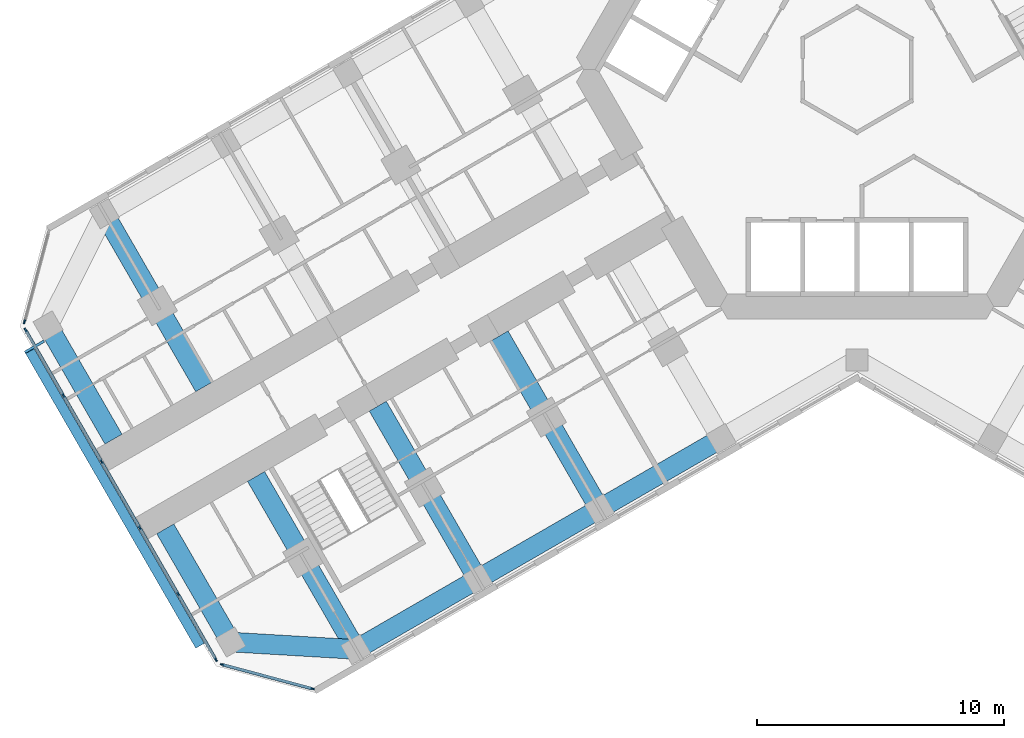
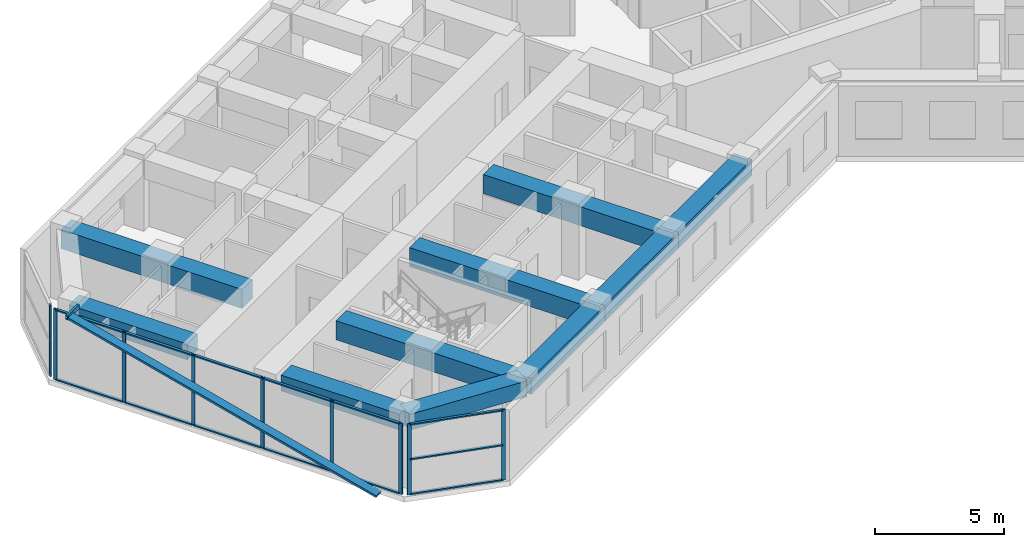
# One storey, part 2 of 21: 24 members, 10 beams, 3 elements without a shape of their own.
"""IFC4 building model written with IfcOpenShell, lengths in metres."""

from ifc_helpers import new_model, si_unit, direction, frame, origin, origin_2d, place, context, subcontext, project, spatial, rectangle, hollow_rectangle, extrude, material, material_profile, profile_set, type_object, element, aggregate, save


model = new_model("IFC4")

# Units and contexts
model_context = context("Model", 3, precision=1e-05, world=origin(), true_north=direction((0.0, 1.0)))
body_context = subcontext(model_context, "Body", "Model", "MODEL_VIEW")
ifc_project = project(units=[si_unit("LENGTHUNIT", "METRE"), si_unit("AREAUNIT", "SQUARE_METRE"), si_unit("VOLUMEUNIT", "CUBIC_METRE"), si_unit("PLANEANGLEUNIT", "RADIAN"), si_unit("MASSUNIT", "GRAM", prefix="KILO")], contexts=[model_context])

# Site, building, storey
site_placement = place(None, origin())
site = spatial("IfcSite", under=ifc_project, at=site_placement, CompositionType="ELEMENT")
building_placement = place(site_placement, origin())
building = spatial("IfcBuilding", under=site, at=building_placement, Name="Kosmar Iwan School Tower", CompositionType="ELEMENT")
storey_placement = place(building_placement, frame((0.0, 0.0, 88.0)))
storey = spatial("IfcBuildingStorey", under=building, at=storey_placement, Name="L21", CompositionType="ELEMENT", Elevation=88.0)

# Members
ifc_material_1 = material(Name="Black anodised aluminium", Category="aluminium")
ifc_material_profile_1 = material_profile(ifc_material_1, rectangle(XDim=0.10009765625, YDim=0.39990234375, at=origin_2d()), Name="FIN 100x400")
ifc_profile_set_1 = profile_set([ifc_material_profile_1], Name="Black anodised aluminium")
member_type_1 = type_object("IfcMemberType", Name="Diagonal fin 100x400", PredefinedType="USERDEFINED", material=ifc_profile_set_1)
member_1_placement = place(storey_placement, frame((-26.645263671875, -23.34912109375, -0.14990234375), z_axis=(-0.483795538458, 0.837973939202, 0.252470897702), x_axis=(0.126233699175, -0.218647221293, 0.967604488318)))
element("IfcMember", 1, at=member_1_placement, inside=storey, type_object=member_type_1, Name="Diagonal fin L21-F13", ObjectType="FIN", PredefinedType="USERDEFINED", context=body_context, shape_type="SweptSolid", body=[
    extrude(rectangle(XDim=0.10009765625, YDim=0.39990234375, at=origin_2d()), origin(), (0.0, 0.0, 1.0), 14.258544921875),
])
ifc_material_2 = material(Name="Steel S355", Category="steel")
ifc_material_profile_2 = material_profile(ifc_material_2, hollow_rectangle(XDim=0.10009765625, YDim=0.199951171875, WallThickness=0.008056640625, at=origin_2d()), Name="RHS 200x100x8")
ifc_profile_set_2 = profile_set([ifc_material_profile_2], Name="Steel S355")
member_type_2 = type_object("IfcMemberType", Name="Fin bracket RHS 200x100", PredefinedType="USERDEFINED", material=ifc_profile_set_2)
member_2_placement = place(storey_placement, frame((-32.963134765625, -11.006103515625, 3.47509765625), z_axis=(-0.866081705922, -0.499902469156, 0.0), x_axis=(0.499902469156, -0.866081705922, 0.0)))
element("IfcMember", 2, at=member_2_placement, inside=storey, type_object=member_type_2, Name="Fin bracket L22", ObjectType="FIN BRACKET", PredefinedType="USERDEFINED", context=body_context, shape_type="SweptSolid", body=[
    extrude(hollow_rectangle(XDim=0.10009765625, YDim=0.199951171875, WallThickness=0.008056640625, at=origin_2d()), origin(), (0.0, 0.0, 1.0), 0.900146484375),
])

# Curtain wall, member
ifc_material_3 = material(Name="Dark glass in black aluminium frame", Category="aluminium")
curtain_wall_type_1 = type_object("IfcCurtainWallType", Name="Chamfer curtain wall dark glass", PredefinedType="USERDEFINED", material=ifc_material_3)
curtain_wall_1_placement = place(storey_placement, origin())
curtain_wall_1 = element("IfcCurtainWall", 3, at=curtain_wall_1_placement, inside=storey, type_object=curtain_wall_type_1, Name="Curtain wall L21-F12", ObjectType="FACETED CURTAIN WALL", PredefinedType="USERDEFINED")
ifc_material_4 = material(Name="Black anodised aluminium", Category="aluminium")
ifc_material_profile_3 = material_profile(ifc_material_4, rectangle(XDim=0.06005859375, YDim=0.159912109375, at=origin_2d()), Name="MULLION 60x160")
ifc_profile_set_3 = profile_set([ifc_material_profile_3], Name="Black anodised aluminium")
member_type_3 = type_object("IfcMemberType", Name="Mullion 60x160", PredefinedType="MULLION", material=ifc_profile_set_3)
member_3_placement = place(storey_placement, frame((-33.7587890625, -10.2236328125, 0.0), z_axis=(0.0, 0.0, 1.0), x_axis=(0.965925875495, -0.258818861462, 0.0)))
member_3 = element("IfcMember", 4, at=member_3_placement, type_object=member_type_3, Name="CW2 mullion 2", PredefinedType="MULLION", context=body_context, shape_type="SweptSolid", body=[
    extrude(rectangle(XDim=0.06005859375, YDim=0.159912109375, at=origin_2d()), origin(), (0.0, 0.0, 1.0), 3.35009765625),
])
aggregate(curtain_wall_1, [member_3])

# Curtain wall, members
ifc_material_5 = material(Name="Dark glass in black aluminium frame", Category="aluminium")
curtain_wall_type_2 = type_object("IfcCurtainWallType", Name="Tower curtain wall dark glass", PredefinedType="USERDEFINED", material=ifc_material_5)
curtain_wall_2_placement = place(storey_placement, origin())
curtain_wall_2 = element("IfcCurtainWall", 5, at=curtain_wall_2_placement, inside=storey, type_object=curtain_wall_type_2, Name="Curtain wall L21-F13", ObjectType="UNITISED CURTAIN WALL", PredefinedType="USERDEFINED")
member_4_placement = place(storey_placement, frame((-33.71533203125, -10.55322265625, 0.0), z_axis=(0.0, 0.0, 1.0), x_axis=(0.866025405329, 0.499999997325, 0.0)))
member_4 = element("IfcMember", 6, at=member_4_placement, type_object=member_type_3, Name="CW1 mullion 1", PredefinedType="MULLION", context=body_context, shape_type="SweptSolid", body=[
    extrude(rectangle(XDim=0.06005859375, YDim=0.159912109375, at=origin_2d()), origin(), (0.0, 0.0, 1.0), 3.35009765625),
])
member_5_placement = place(storey_placement, frame((-32.1806640625, -13.21142578125, 0.0), z_axis=(0.0, 0.0, 1.0), x_axis=(0.866025405329, 0.499999997325, 0.0)))
member_5 = element("IfcMember", 7, at=member_5_placement, type_object=member_type_3, Name="CW1 mullion 2", PredefinedType="MULLION", context=body_context, shape_type="SweptSolid", body=[
    extrude(rectangle(XDim=0.06005859375, YDim=0.159912109375, at=origin_2d()), origin(), (0.0, 0.0, 1.0), 3.35009765625),
])
member_6_placement = place(storey_placement, frame((-30.631103515625, -15.8955078125, 0.0), z_axis=(0.0, 0.0, 1.0), x_axis=(0.866025405329, 0.499999997325, 0.0)))
member_6 = element("IfcMember", 8, at=member_6_placement, type_object=member_type_3, Name="CW1 mullion 3", PredefinedType="MULLION", context=body_context, shape_type="SweptSolid", body=[
    extrude(rectangle(XDim=0.06005859375, YDim=0.159912109375, at=origin_2d()), origin(), (0.0, 0.0, 1.0), 3.35009765625),
])
member_7_placement = place(storey_placement, frame((-29.081298828125, -18.57958984375, 0.0), z_axis=(0.0, 0.0, 1.0), x_axis=(0.866025405329, 0.499999997325, 0.0)))
member_7 = element("IfcMember", 9, at=member_7_placement, type_object=member_type_3, Name="CW1 mullion 4", PredefinedType="MULLION", context=body_context, shape_type="SweptSolid", body=[
    extrude(rectangle(XDim=0.06005859375, YDim=0.159912109375, at=origin_2d()), origin(), (0.0, 0.0, 1.0), 3.35009765625),
])
member_8_placement = place(storey_placement, frame((-27.53173828125, -21.263671875, 0.0), z_axis=(0.0, 0.0, 1.0), x_axis=(0.866025405329, 0.499999997325, 0.0)))
member_8 = element("IfcMember", 10, at=member_8_placement, type_object=member_type_3, Name="CW1 mullion 5", PredefinedType="MULLION", context=body_context, shape_type="SweptSolid", body=[
    extrude(rectangle(XDim=0.06005859375, YDim=0.159912109375, at=origin_2d()), origin(), (0.0, 0.0, 1.0), 3.35009765625),
])
member_9_placement = place(storey_placement, frame((-25.9970703125, -23.921630859375, 0.0), z_axis=(0.0, 0.0, 1.0), x_axis=(0.866025405329, 0.499999997325, 0.0)))
member_9 = element("IfcMember", 11, at=member_9_placement, type_object=member_type_3, Name="CW1 mullion 6", PredefinedType="MULLION", context=body_context, shape_type="SweptSolid", body=[
    extrude(rectangle(XDim=0.06005859375, YDim=0.159912109375, at=origin_2d()), origin(), (0.0, 0.0, 1.0), 3.35009765625),
])

curtain_wall_3_placement = place(storey_placement, origin())
curtain_wall_3 = element("IfcCurtainWall", 12, at=curtain_wall_3_placement, inside=storey, type_object=curtain_wall_type_1, Name="Curtain wall L21-F14", ObjectType="FACETED CURTAIN WALL", PredefinedType="USERDEFINED")
member_10_placement = place(storey_placement, frame((-25.733154296875, -24.124267578125, 0.0), z_axis=(0.0, 0.0, 1.0), x_axis=(0.258818861462, 0.965925875495, 0.0)))
member_10 = element("IfcMember", 13, at=member_10_placement, type_object=member_type_3, Name="CW2 mullion 1", PredefinedType="MULLION", context=body_context, shape_type="SweptSolid", body=[
    extrude(rectangle(XDim=0.06005859375, YDim=0.159912109375, at=origin_2d()), origin(), (0.0, 0.0, 1.0), 3.35009765625),
])
member_11_placement = place(storey_placement, frame((-22.0830078125, -25.102294921875, 0.0), z_axis=(0.0, 0.0, 1.0), x_axis=(0.258818861462, 0.965925875495, 0.0)))
member_11 = element("IfcMember", 14, at=member_11_placement, type_object=member_type_3, Name="CW2 mullion 2", PredefinedType="MULLION", context=body_context, shape_type="SweptSolid", body=[
    extrude(rectangle(XDim=0.06005859375, YDim=0.159912109375, at=origin_2d()), origin(), (0.0, 0.0, 1.0), 3.35009765625),
])

# Beams
ifc_material_6 = material(Name="Concrete C50/60", Category="concrete")
ifc_material_profile_4 = material_profile(ifc_material_6, rectangle(XDim=0.800048828125, YDim=0.75, at=origin_2d()), Name="RC 800x750")
ifc_profile_set_4 = profile_set([ifc_material_profile_4], Name="Concrete C50/60")
beam_type_1 = type_object("IfcBeamType", Name="RC edge beam 800x750", PredefinedType="BEAM", material=ifc_profile_set_4)
beam_1_placement = place(storey_placement, frame((-5.5087890625, -14.95849609375, 2.97509765625), z_axis=(-0.866033658841, -0.49998570155, 0.0), x_axis=(0.49998570155, -0.866033658841, 0.0)))
element("IfcBeam", 15, at=beam_1_placement, inside=storey, type_object=beam_type_1, Name="Edge beam BL2", PredefinedType="BEAM", context=body_context, shape_type="SweptSolid", body=[
    extrude(rectangle(XDim=0.800048828125, YDim=0.75, at=origin_2d()), origin(), (0.0, 0.0, 1.0), 5.699951171875),
])
beam_2_placement = place(storey_placement, frame((-10.445068359375, -17.808349609375, 2.97509765625), z_axis=(-0.866025820012, -0.499999279071, 0.0), x_axis=(0.499999279071, -0.866025820012, 0.0)))
element("IfcBeam", 16, at=beam_2_placement, inside=storey, type_object=beam_type_1, Name="Edge beam BL3", PredefinedType="BEAM", context=body_context, shape_type="SweptSolid", body=[
    extrude(rectangle(XDim=0.800048828125, YDim=0.75, at=origin_2d()), origin(), (0.0, 0.0, 1.0), 5.7001953125),
])
beam_3_placement = place(storey_placement, frame((-15.381591796875, -20.658447265625, 2.97509765625), z_axis=(-0.866015111908, -0.50001782563, 0.0), x_axis=(0.50001782563, -0.866015111908, 0.0)))
element("IfcBeam", 17, at=beam_3_placement, inside=storey, type_object=beam_type_1, Name="Edge beam BL4", PredefinedType="BEAM", context=body_context, shape_type="SweptSolid", body=[
    extrude(rectangle(XDim=0.800048828125, YDim=0.75, at=origin_2d()), origin(), (0.0, 0.0, 1.0), 5.699951171875),
])
ifc_material_7 = material(Name="Concrete C50/60", Category="concrete")
ifc_material_profile_5 = material_profile(ifc_material_7, rectangle(XDim=0.800048828125, YDim=0.75, at=origin_2d()), Name="RC 800x750")
ifc_profile_set_5 = profile_set([ifc_material_profile_5], Name="Concrete C50/60")
beam_type_2 = type_object("IfcBeamType", Name="RC tip beam 800x750", PredefinedType="BEAM", material=ifc_profile_set_5)
beam_4_placement = place(storey_placement, frame((-20.31787109375, -23.508544921875, 2.97509765625), z_axis=(-0.998260616478, 0.058955420358, 0.0), x_axis=(-0.058955420358, -0.998260616478, 0.0)))
element("IfcBeam", 18, at=beam_4_placement, inside=storey, type_object=beam_type_2, Name="Tip beam BL", PredefinedType="BEAM", context=body_context, shape_type="SweptSolid", body=[
    extrude(rectangle(XDim=0.800048828125, YDim=0.75, at=origin_2d()), origin(), (0.0, 0.0, 1.0), 5.08935546875),
])
beam_5_placement = place(storey_placement, frame((-25.3984375, -23.20849609375, 2.97509765625), z_axis=(-0.499993606316, 0.866029095148, 0.0), x_axis=(-0.866029095148, -0.499993606316, 0.0)))
element("IfcBeam", 19, at=beam_5_placement, inside=storey, type_object=beam_type_2, Name="Tip beam BL to corridor wall", PredefinedType="BEAM", context=body_context, shape_type="SweptSolid", body=[
    extrude(rectangle(XDim=0.800048828125, YDim=0.75, at=origin_2d()), origin(), (0.0, 0.0, 1.0), 5.2998046875),
])
beam_6_placement = place(storey_placement, frame((-32.79833984375, -10.391357421875, 2.97509765625), z_axis=(0.499973660256, -0.866040610509, 0.0), x_axis=(0.866040610509, 0.499973660256, 0.0)))
element("IfcBeam", 20, at=beam_6_placement, inside=storey, type_object=beam_type_2, Name="Tip beam BR to corridor wall", PredefinedType="BEAM", context=body_context, shape_type="SweptSolid", body=[
    extrude(rectangle(XDim=0.800048828125, YDim=0.75, at=origin_2d()), origin(), (0.0, 0.0, 1.0), 5.300048828125),
])
ifc_material_8 = material(Name="Concrete C50/60", Category="concrete")
ifc_material_profile_6 = material_profile(ifc_material_8, rectangle(XDim=0.800048828125, YDim=0.89990234375, at=origin_2d()), Name="RC 800x900")
ifc_profile_set_6 = profile_set([ifc_material_profile_6], Name="Concrete C50/60")
beam_type_3 = type_object("IfcBeamType", Name="RC transverse beam 800x900", PredefinedType="BEAM", material=ifc_profile_set_6)
beam_7_placement = place(storey_placement, frame((-10.445068359375, -17.808349609375, 2.89990234375), z_axis=(-0.500012932018, 0.866017937352, 0.0), x_axis=(-0.866017937352, -0.500012932018, 0.0)))
element("IfcBeam", 21, at=beam_7_placement, inside=storey, type_object=beam_type_3, Name="Transverse beam BL2", PredefinedType="BEAM", context=body_context, shape_type="SweptSolid", body=[
    extrude(rectangle(XDim=0.800048828125, YDim=0.89990234375, at=origin_2d()), origin(), (0.0, 0.0, 1.0), 8.099853515625),
])
for number, where, z_axis, x_axis, name in (
    (22, (-15.381591796875, -20.658447265625, 2.89990234375), (-0.499977274689, 0.866038523851, 0.0), (-0.866038523851, -0.499977274689, 0.0), "Transverse beam BL3"),
    (23, (-20.31787109375, -23.508544921875, 2.89990234375), (-0.499999880539, 0.866025472755, 0.0), (-0.866025472755, -0.499999880539, 0.0), "Transverse beam BL4"),
    (24, (-30.517822265625, -5.841552734375, 2.89990234375), (0.499999880539, -0.866025472755, 0.0), (0.866025472755, 0.499999880539, 0.0), "Transverse beam BR4"),
):
    element("IfcBeam", number, at=place(storey_placement, frame(where, z_axis=z_axis, x_axis=x_axis)), inside=storey, type_object=beam_type_3, Name=name, PredefinedType="BEAM", context=body_context, shape_type="SweptSolid", body=[
        extrude(rectangle(XDim=0.800048828125, YDim=0.89990234375, at=origin_2d()), origin(), (0.0, 0.0, 1.0), 8.10009765625),
    ])

# Member
ifc_material_9 = material(Name="Black anodised aluminium", Category="aluminium")
ifc_material_profile_7 = material_profile(ifc_material_9, rectangle(XDim=0.1201171875, YDim=0.06005859375, at=origin_2d()), Name="TRANSOM 60x120")
ifc_profile_set_7 = profile_set([ifc_material_profile_7], Name="Black anodised aluminium")
member_type_4 = type_object("IfcMemberType", Name="Transom 60x120", PredefinedType="USERDEFINED", material=ifc_profile_set_7)
member_12_placement = place(storey_placement, frame((-33.700439453125, -10.579345703125, 0.030029296875), z_axis=(0.500022102064, -0.866012642776, 0.0), x_axis=(0.866012642776, 0.500022102064, 0.0)))
member_12 = element("IfcMember", 25, at=member_12_placement, type_object=member_type_4, Name="CW1 transom 1.1", ObjectType="TRANSOM", PredefinedType="USERDEFINED", context=body_context, shape_type="SweptSolid", body=[
    extrude(rectangle(XDim=0.1201171875, YDim=0.06005859375, at=origin_2d()), origin(), (0.0, 0.0, 1.0), 3.009033203125),
])

member_13_placement = place(storey_placement, frame((-33.700439453125, -10.579345703125, 3.320068359375), z_axis=(0.500022102064, -0.866012642776, 0.0), x_axis=(0.866012642776, 0.500022102064, 0.0)))
member_13 = element("IfcMember", 26, at=member_13_placement, type_object=member_type_4, Name="CW1 transom 1.2", ObjectType="TRANSOM", PredefinedType="USERDEFINED", context=body_context, shape_type="SweptSolid", body=[
    extrude(rectangle(XDim=0.1201171875, YDim=0.06005859375, at=origin_2d()), origin(), (0.0, 0.0, 1.0), 3.009033203125),
])

member_14_placement = place(storey_placement, frame((-32.165771484375, -13.2373046875, 0.030029296875), z_axis=(0.500035348339, -0.866004994449, 0.0), x_axis=(0.866004994449, 0.500035348339, 0.0)))
member_14 = element("IfcMember", 27, at=member_14_placement, type_object=member_type_4, Name="CW1 transom 2.1", ObjectType="TRANSOM", PredefinedType="USERDEFINED", context=body_context, shape_type="SweptSolid", body=[
    extrude(rectangle(XDim=0.1201171875, YDim=0.06005859375, at=origin_2d()), origin(), (0.0, 0.0, 1.0), 3.039306640625),
])

member_15_placement = place(storey_placement, frame((-32.165771484375, -13.2373046875, 3.320068359375), z_axis=(0.500035348339, -0.866004994449, 0.0), x_axis=(0.866004994449, 0.500035348339, 0.0)))
member_15 = element("IfcMember", 28, at=member_15_placement, type_object=member_type_4, Name="CW1 transom 2.2", ObjectType="TRANSOM", PredefinedType="USERDEFINED", context=body_context, shape_type="SweptSolid", body=[
    extrude(rectangle(XDim=0.1201171875, YDim=0.06005859375, at=origin_2d()), origin(), (0.0, 0.0, 1.0), 3.039306640625),
])

member_16_placement = place(storey_placement, frame((-30.615966796875, -15.92138671875, 0.030029296875), z_axis=(0.499975102327, -0.866039777986, 0.0), x_axis=(0.866039777986, 0.499975102327, 0.0)))
member_16 = element("IfcMember", 29, at=member_16_placement, type_object=member_type_4, Name="CW1 transom 3.1", ObjectType="TRANSOM", PredefinedType="USERDEFINED", context=body_context, shape_type="SweptSolid", body=[
    extrude(rectangle(XDim=0.1201171875, YDim=0.06005859375, at=origin_2d()), origin(), (0.0, 0.0, 1.0), 3.039306640625),
])

member_17_placement = place(storey_placement, frame((-30.615966796875, -15.92138671875, 3.320068359375), z_axis=(0.499975102327, -0.866039777986, 0.0), x_axis=(0.866039777986, 0.499975102327, 0.0)))
member_17 = element("IfcMember", 30, at=member_17_placement, type_object=member_type_4, Name="CW1 transom 3.2", ObjectType="TRANSOM", PredefinedType="USERDEFINED", context=body_context, shape_type="SweptSolid", body=[
    extrude(rectangle(XDim=0.1201171875, YDim=0.06005859375, at=origin_2d()), origin(), (0.0, 0.0, 1.0), 3.039306640625),
])

member_18_placement = place(storey_placement, frame((-29.06640625, -18.60546875, 0.030029296875), z_axis=(0.499975102327, -0.866039777986, 0.0), x_axis=(0.866039777986, 0.499975102327, 0.0)))
member_18 = element("IfcMember", 31, at=member_18_placement, type_object=member_type_4, Name="CW1 transom 4.1", ObjectType="TRANSOM", PredefinedType="USERDEFINED", context=body_context, shape_type="SweptSolid", body=[
    extrude(rectangle(XDim=0.1201171875, YDim=0.06005859375, at=origin_2d()), origin(), (0.0, 0.0, 1.0), 3.039306640625),
])

member_19_placement = place(storey_placement, frame((-29.06640625, -18.60546875, 3.320068359375), z_axis=(0.499975102327, -0.866039777986, 0.0), x_axis=(0.866039777986, 0.499975102327, 0.0)))
member_19 = element("IfcMember", 32, at=member_19_placement, type_object=member_type_4, Name="CW1 transom 4.2", ObjectType="TRANSOM", PredefinedType="USERDEFINED", context=body_context, shape_type="SweptSolid", body=[
    extrude(rectangle(XDim=0.1201171875, YDim=0.06005859375, at=origin_2d()), origin(), (0.0, 0.0, 1.0), 3.039306640625),
])

member_20_placement = place(storey_placement, frame((-27.516845703125, -21.28955078125, 0.030029296875), z_axis=(0.499986971506, -0.866032925658, 0.0), x_axis=(0.866032925658, 0.499986971506, 0.0)))
member_20 = element("IfcMember", 33, at=member_20_placement, type_object=member_type_4, Name="CW1 transom 5.1", ObjectType="TRANSOM", PredefinedType="USERDEFINED", context=body_context, shape_type="SweptSolid", body=[
    extrude(rectangle(XDim=0.1201171875, YDim=0.06005859375, at=origin_2d()), origin(), (0.0, 0.0, 1.0), 3.00927734375),
])

member_21_placement = place(storey_placement, frame((-27.516845703125, -21.28955078125, 3.320068359375), z_axis=(0.499986971506, -0.866032925658, 0.0), x_axis=(0.866032925658, 0.499986971506, 0.0)))
member_21 = element("IfcMember", 34, at=member_21_placement, type_object=member_type_4, Name="CW1 transom 5.2", ObjectType="TRANSOM", PredefinedType="USERDEFINED", context=body_context, shape_type="SweptSolid", body=[
    extrude(rectangle(XDim=0.1201171875, YDim=0.06005859375, at=origin_2d()), origin(), (0.0, 0.0, 1.0), 3.00927734375),
])

aggregate(curtain_wall_2, [member_4, member_5, member_6, member_7, member_8, member_9, member_12, member_13, member_14, member_15, member_16, member_17, member_18, member_19, member_20, member_21])

member_22_placement = place(storey_placement, frame((-25.704345703125, -24.1318359375, 0.030029296875), z_axis=(0.965923731726, -0.258826861991, 0.0), x_axis=(0.258826861991, 0.965923731726, 0.0)))
member_22 = element("IfcMember", 35, at=member_22_placement, type_object=member_type_4, Name="CW2 transom 1.1", ObjectType="TRANSOM", PredefinedType="USERDEFINED", context=body_context, shape_type="SweptSolid", body=[
    extrude(rectangle(XDim=0.1201171875, YDim=0.06005859375, at=origin_2d()), origin(), (0.0, 0.0, 1.0), 3.71923828125),
])

member_23_placement = place(storey_placement, frame((-25.704345703125, -24.1318359375, 1.675048828125), z_axis=(0.965923731726, -0.258826861991, 0.0), x_axis=(0.258826861991, 0.965923731726, 0.0)))
member_23 = element("IfcMember", 36, at=member_23_placement, type_object=member_type_4, Name="CW2 transom 1.2", ObjectType="TRANSOM", PredefinedType="USERDEFINED", context=body_context, shape_type="SweptSolid", body=[
    extrude(rectangle(XDim=0.1201171875, YDim=0.06005859375, at=origin_2d()), origin(), (0.0, 0.0, 1.0), 3.71923828125),
])

member_24_placement = place(storey_placement, frame((-25.704345703125, -24.1318359375, 3.320068359375), z_axis=(0.965923731726, -0.258826861991, 0.0), x_axis=(0.258826861991, 0.965923731726, 0.0)))
member_24 = element("IfcMember", 37, at=member_24_placement, type_object=member_type_4, Name="CW2 transom 1.3", ObjectType="TRANSOM", PredefinedType="USERDEFINED", context=body_context, shape_type="SweptSolid", body=[
    extrude(rectangle(XDim=0.1201171875, YDim=0.06005859375, at=origin_2d()), origin(), (0.0, 0.0, 1.0), 3.71923828125),
])

aggregate(curtain_wall_3, [member_10, member_11, member_22, member_23, member_24])

save(model, "model.ifc")
